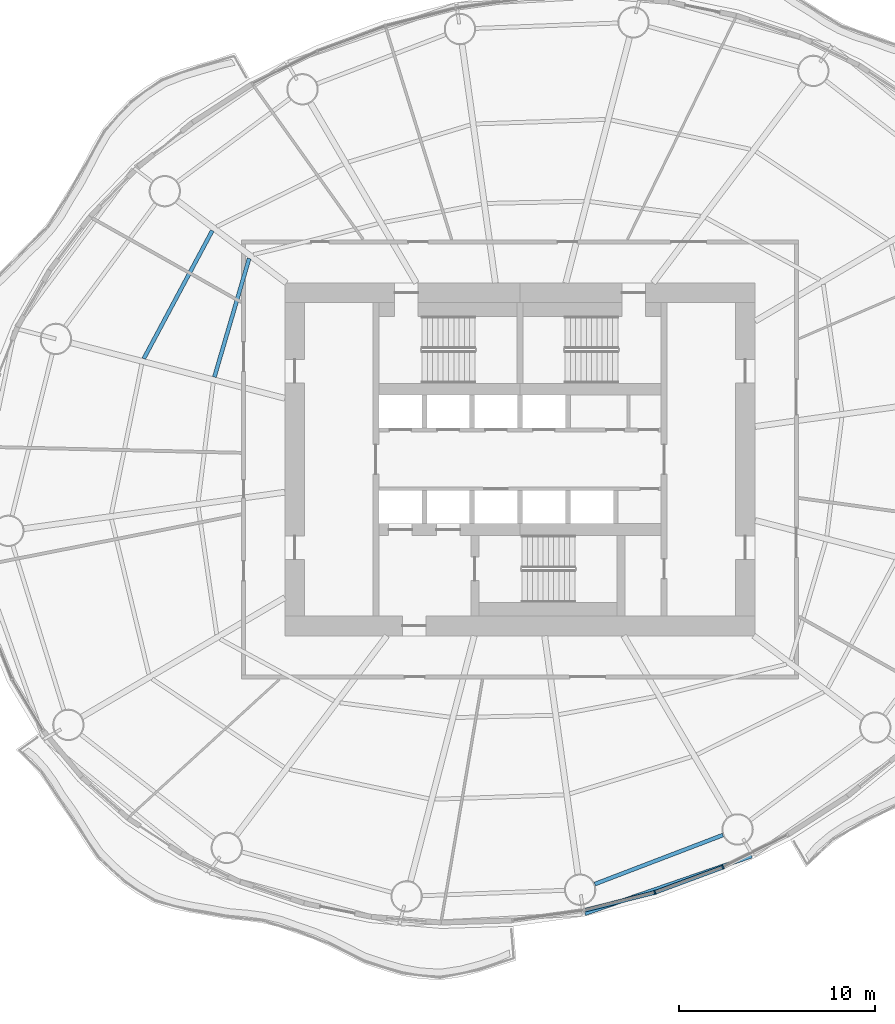
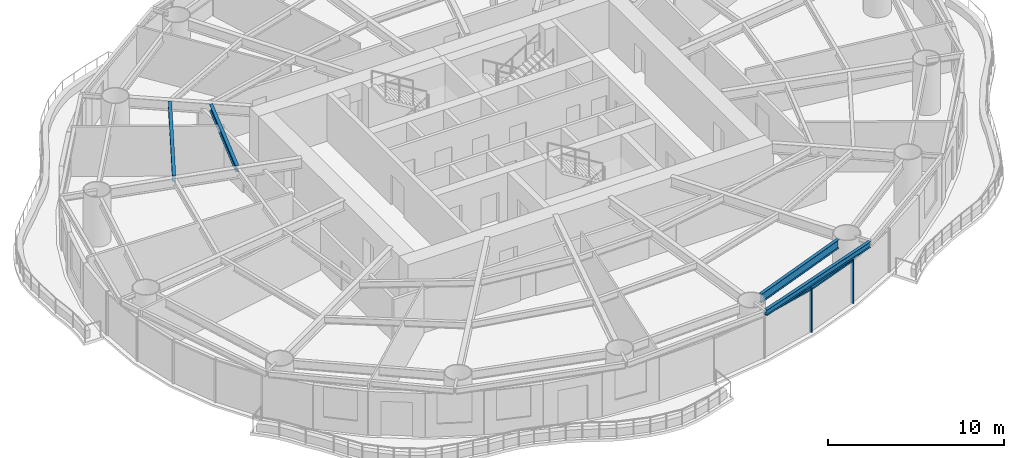
# One storey, part 3 of 16: 4 beams, 4 members, 3 elements without a shape of their own.
"""IFC4 building model written with IfcOpenShell, lengths in metres."""

from ifc_helpers import new_model, si_unit, direction, frame, origin, origin_2d, place, context, subcontext, project, spatial, rectangle, i_section, extrude, material, material_profile, profile_set, type_object, element, aggregate, save


model = new_model("IFC4")

# Units and contexts
model_context = context("Model", 3, precision=1e-05, world=origin(), true_north=direction((0.0, 1.0)))
body_context = subcontext(model_context, "Body", "Model", "MODEL_VIEW")
ifc_project = project(units=[si_unit("LENGTHUNIT", "METRE"), si_unit("AREAUNIT", "SQUARE_METRE"), si_unit("VOLUMEUNIT", "CUBIC_METRE"), si_unit("PLANEANGLEUNIT", "RADIAN"), si_unit("MASSUNIT", "GRAM", prefix="KILO")], contexts=[model_context])

# Site, building, storey
site_placement = place(None, origin())
site = spatial("IfcSite", under=ifc_project, at=site_placement, CompositionType="ELEMENT")
building_placement = place(site_placement, origin())
building = spatial("IfcBuilding", under=site, at=building_placement, Name="Vermilion Reach Broadcast Tower", CompositionType="ELEMENT")
storey_placement = place(building_placement, frame((0.0, 0.0, 103.0)))
storey = spatial("IfcBuildingStorey", under=building, at=storey_placement, Name="L23", CompositionType="ELEMENT", Elevation=103.0)

# Beams
ifc_material_1 = material(Name="Steel S355J2", Category="steel")
ifc_material_profile_1 = material_profile(ifc_material_1, i_section(OverallWidth=0.199951171875, OverallDepth=0.39990234375, WebThickness=0.008056640625, FlangeThickness=0.012939453125, at=origin_2d()), Name="S355J2 HN 400x200x8x13")
ifc_profile_set_1 = profile_set([ifc_material_profile_1], Name="Steel S355J2")
beam_type_1 = type_object("IfcBeamType", Name="EB2 HN 400x200x8x13", PredefinedType="BEAM", material=ifc_profile_set_1)
beam_1_placement = place(storey_placement, frame((-2.687744140625, -23.176513671875, 3.25), z_axis=(0.94533604781, 0.326097771705, 0.0), x_axis=(-0.326097771705, 0.94533604781, 0.0)))
element("IfcBeam", 1, at=beam_1_placement, inside=storey, type_object=beam_type_1, Name="Edge beam EB2-12", PredefinedType="BEAM", context=body_context, shape_type="SweptSolid", body=[
    extrude(i_section(OverallWidth=0.199951171875, OverallDepth=0.39990234375, WebThickness=0.008056640625, FlangeThickness=0.012939453125, at=origin_2d()), origin(), (0.0, 0.0, 1.0), 8.9931640625),
])
ifc_material_2 = material(Name="Steel S355J2", Category="steel")
ifc_material_profile_2 = material_profile(ifc_material_2, i_section(OverallWidth=0.199951171875, OverallDepth=0.60009765625, WebThickness=0.010986328125, FlangeThickness=0.01708984375, at=origin_2d()), Name="S355J2 HN 600x200x11x17")
ifc_profile_set_2 = profile_set([ifc_material_profile_2], Name="Steel S355J2")
beam_type_2 = type_object("IfcBeamType", Name="RB2 HN 600x200x11x17", PredefinedType="BEAM", material=ifc_profile_set_2)
beam_2_placement = place(storey_placement, frame((-2.186767578125, -21.669677734375, 3.14990234375), z_axis=(0.933939237212, 0.357431813353, 0.0), x_axis=(-0.357431813353, 0.933939237212, 0.0)))
element("IfcBeam", 2, at=beam_2_placement, inside=storey, type_object=beam_type_2, Name="Ring beam RB2-12", PredefinedType="BEAM", context=body_context, shape_type="SweptSolid", body=[
    extrude(i_section(OverallWidth=0.199951171875, OverallDepth=0.60009765625, WebThickness=0.010986328125, FlangeThickness=0.01708984375, at=origin_2d()), origin(), (0.0, 0.0, 1.0), 7.001953125),
])
ifc_material_3 = material(Name="Steel S355J2", Category="steel")
ifc_material_profile_3 = material_profile(ifc_material_3, i_section(OverallWidth=0.199951171875, OverallDepth=0.449951171875, WebThickness=0.009033203125, FlangeThickness=0.013916015625, at=origin_2d()), Name="S355J2 HN 450x200x9x14")
ifc_profile_set_3 = profile_set([ifc_material_profile_3], Name="Steel S355J2")
beam_type_3 = type_object("IfcBeamType", Name="SB2 HN 450x200x9x14", PredefinedType="BEAM", material=ifc_profile_set_3)
beam_3_placement = place(storey_placement, frame((-19.821533203125, 10.246337890625, 3.22509765625), z_axis=(-0.281175657723, -0.959656318431, 0.0), x_axis=(0.959656318431, -0.281175657723, 0.0)))
element("IfcBeam", 3, at=beam_3_placement, inside=storey, type_object=beam_type_3, Name="Secondary beam SB2-06-1", PredefinedType="BEAM", context=body_context, shape_type="SweptSolid", body=[
    extrude(i_section(OverallWidth=0.199951171875, OverallDepth=0.449951171875, WebThickness=0.009033203125, FlangeThickness=0.013916015625, at=origin_2d()), origin(), (0.0, 0.0, 1.0), 6.298583984375),
])
beam_4_placement = place(storey_placement, frame((-21.702880859375, 11.66650390625, 3.22509765625), z_axis=(-0.471821551693, -0.881694064491, 0.0), x_axis=(0.881694064491, -0.471821551693, 0.0)))
element("IfcBeam", 4, at=beam_4_placement, inside=storey, type_object=beam_type_3, Name="Secondary beam SB2-06-2", PredefinedType="BEAM", context=body_context, shape_type="SweptSolid", body=[
    extrude(i_section(OverallWidth=0.199951171875, OverallDepth=0.449951171875, WebThickness=0.009033203125, FlangeThickness=0.013916015625, at=origin_2d()), origin(), (0.0, 0.0, 1.0), 7.405029296875),
])

# Curtain wall, member
ifc_material_4 = material(Name="Low-e laminated clear glass in aluminium frame", Category="aluminium")
curtain_wall_type = type_object("IfcCurtainWallType", Name="Slot curtain wall", PredefinedType="NOTDEFINED", material=ifc_material_4)
placement = place(storey_placement, origin())
curtain_wall_1 = element("IfcCurtainWall", 5, at=placement, inside=storey, type_object=curtain_wall_type, Name="Slot curtain wall L23 36", PredefinedType="NOTDEFINED")
ifc_material_5 = material(Name="Anodised aluminium", Category="aluminium")
ifc_material_profile_4 = material_profile(ifc_material_5, rectangle(XDim=0.199951171875, YDim=0.080078125, at=origin_2d()), Name="Slot mullion 80 x 200")
ifc_profile_set_4 = profile_set([ifc_material_profile_4], Name="Anodised aluminium")
member_type_1 = type_object("IfcMemberType", Name="Slot mullion 80 x 200", PredefinedType="MULLION", material=ifc_profile_set_4)
member_1_placement = place(storey_placement, frame((0.87451171875, -22.098388671875, 0.0), z_axis=(0.0, 0.0, 1.0), x_axis=(-0.297041676171, 0.95486451532, 0.0)))
member_1 = element("IfcMember", 6, at=member_1_placement, type_object=member_type_1, Name="Slot mullion L23 36", PredefinedType="MULLION", context=body_context, shape_type="SweptSolid", body=[
    extrude(rectangle(XDim=0.199951171875, YDim=0.080078125, at=origin_2d()), origin(), (0.0, 0.0, 1.0), 3.050048828125),
])

curtain_wall_2 = element("IfcCurtainWall", 7, at=placement, inside=storey, type_object=curtain_wall_type, Name="Slot curtain wall L23 37", PredefinedType="NOTDEFINED")
member_2_placement = place(storey_placement, frame((4.350341796875, -20.808837890625, 0.0), z_axis=(0.0, 0.0, 1.0), x_axis=(-0.397883438481, 0.917435975631, 0.0)))
member_2 = element("IfcMember", 8, at=member_2_placement, type_object=member_type_1, Name="Slot mullion L23 37", PredefinedType="MULLION", context=body_context, shape_type="SweptSolid", body=[
    extrude(rectangle(XDim=0.199951171875, YDim=0.080078125, at=origin_2d()), origin(), (0.0, 0.0, 1.0), 3.050048828125),
])
aggregate(curtain_wall_2, [member_2])

curtain_wall_3 = element("IfcCurtainWall", 9, at=placement, inside=storey, type_object=curtain_wall_type, Name="Slot curtain wall L23 35", PredefinedType="NOTDEFINED")
ifc_material_6 = material(Name="Anodised aluminium", Category="aluminium")
ifc_material_profile_5 = material_profile(ifc_material_6, rectangle(XDim=0.199951171875, YDim=0.10009765625, at=origin_2d()), Name="Slot transom 200 x 100")
ifc_profile_set_5 = profile_set([ifc_material_profile_5], Name="Anodised aluminium")
member_type_2 = type_object("IfcMemberType", Name="Slot transom 200 x 100", PredefinedType="USERDEFINED", material=ifc_profile_set_5)
member_3_placement = place(storey_placement, frame((-2.6806640625, -22.998291015625, 3.0), z_axis=(0.96942164454, 0.245401049503, 0.0), x_axis=(-0.245401049503, 0.96942164454, 0.0)))
member_3 = element("IfcMember", 10, at=member_3_placement, type_object=member_type_2, Name="Slot transom L23 35.1", ObjectType="TRANSOM", PredefinedType="USERDEFINED", context=body_context, shape_type="SweptSolid", body=[
    extrude(rectangle(XDim=0.199951171875, YDim=0.10009765625, at=origin_2d()), origin(), (0.0, 0.0, 1.0), 3.627197265625),
])
aggregate(curtain_wall_3, [member_3])

# Member
member_4_placement = place(storey_placement, frame((0.911865234375, -22.08447265625, 3.0), z_axis=(0.937557014258, 0.347831633143, 0.0), x_axis=(-0.347831633143, 0.937557014258, 0.0)))
member_4 = element("IfcMember", 11, at=member_4_placement, type_object=member_type_2, Name="Slot transom L23 36.1", ObjectType="TRANSOM", PredefinedType="USERDEFINED", context=body_context, shape_type="SweptSolid", body=[
    extrude(rectangle(XDim=0.199951171875, YDim=0.10009765625, at=origin_2d()), origin(), (0.0, 0.0, 1.0), 3.62744140625),
])

aggregate(curtain_wall_1, [member_1, member_4])

save(model, "model.ifc")
